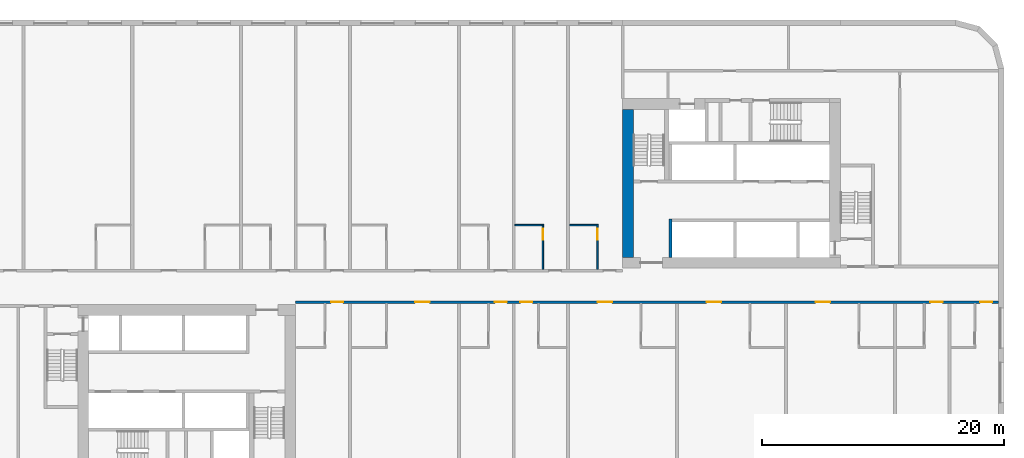
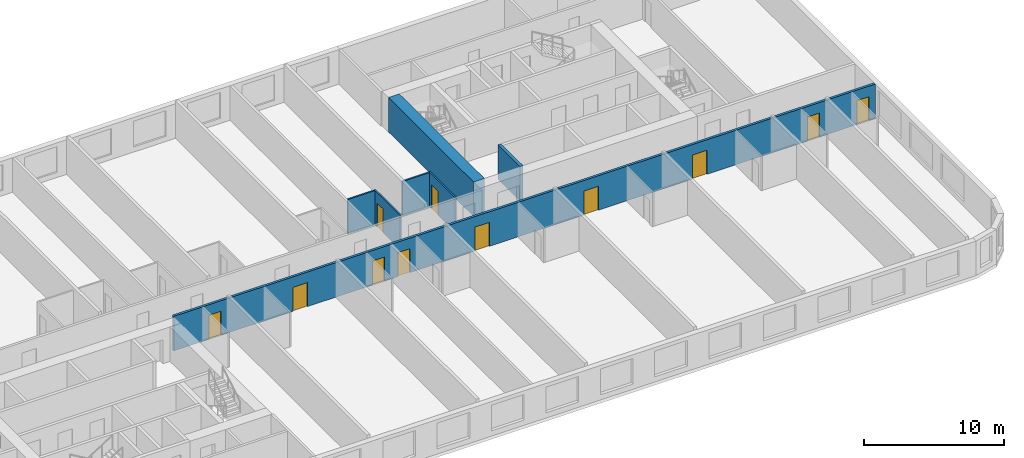
# One storey, part 5 of 12: 11 doors, 7 walls, 11 openings.
"""IFC4 building model written with IfcOpenShell, lengths in metres."""

from ifc_helpers import new_model, si_unit, direction, frame, frame_2d, origin, place, context, subcontext, project, spatial, rectangle, extrude, material, layer, layer_set, type_object, element, fill, save


model = new_model("IFC4")

# Units and contexts
model_context = context("Model", 3, precision=1e-05, world=origin(), true_north=direction((0.0, 1.0)))
body_context = subcontext(model_context, "Body", "Model", "MODEL_VIEW")
ifc_project = project(units=[si_unit("LENGTHUNIT", "METRE"), si_unit("AREAUNIT", "SQUARE_METRE"), si_unit("VOLUMEUNIT", "CUBIC_METRE"), si_unit("PLANEANGLEUNIT", "RADIAN"), si_unit("MASSUNIT", "GRAM", prefix="KILO")], contexts=[model_context])

# Site, building, storey
site_placement = place(None, origin())
site = spatial("IfcSite", under=ifc_project, at=site_placement, CompositionType="ELEMENT")
building_placement = place(site_placement, origin())
building = spatial("IfcBuilding", under=site, at=building_placement, Name="Kajstack Hotel Tower", CompositionType="ELEMENT")
storey_placement = place(building_placement, frame((0.0, 0.0, 63.300048828125)))
storey = spatial("IfcBuildingStorey", under=building, at=storey_placement, Name="L10", CompositionType="ELEMENT", Elevation=63.300048828125)

# Wall
ifc_material_1 = material(Name="Concrete C60/75", Category="concrete")
ifc_layer_1 = layer(ifc_material_1, 0.89990234375)
ifc_layer_set_1 = layer_set([ifc_layer_1], Name="Core wall 900")
wall_type_1 = type_object("IfcWallType", Name="Core wall 900", PredefinedType="SHEAR", material=ifc_layer_set_1)
wall_1_placement = place(storey_placement, frame((13.949951171875, 2.39990234375, 0.0), z_axis=(0.0, 0.0, 1.0), x_axis=(0.0, 1.0, 0.0)))
element("IfcWall", 1, at=wall_1_placement, inside=storey, type_object=wall_type_1, Name="Core wall E RE", PredefinedType="SHEAR", context=body_context, shape_type="SweptSolid", body=[
    extrude(rectangle(XDim=12.2001953125, YDim=0.89990234375, at=frame_2d((6.10009765625, 0.0))), origin(), (0.0, 0.0, 1.0), 3.02001953125),
])

# Wall, openings, doors
ifc_material_2 = material(Name="Gypsum board on steel studs, mineral wool", Category="steel")
ifc_layer_2 = layer(ifc_material_2, 0.199951171875)
ifc_layer_set_2 = layer_set([ifc_layer_2], Name="Corridor wall 200")
wall_type_2 = type_object("IfcWallType", Name="Corridor wall 200", PredefinedType="PARTITIONING", material=ifc_layer_set_2)
wall_2_placement = place(storey_placement, frame((-13.5, -1.300048828125, 0.0), z_axis=(0.0, 0.0, 1.0), x_axis=(1.0, 0.0, 0.0)))
wall_2 = element("IfcWall", 2, at=wall_2_placement, inside=storey, type_object=wall_type_2, Name="G-wall-L10-026", PredefinedType="PARTITIONING", context=body_context, shape_type="SweptSolid", body=[
    extrude(rectangle(XDim=58.050048828125, YDim=0.199951171875, at=frame_2d((29.02490234375, 0.0))), origin(), (0.0, 0.0, 1.0), 3.02001953125),
])
opening_1_placement = place(wall_2_placement, frame((2.925048828125, 0.0, 0.0)))
opening_1 = element("IfcOpeningElement", 3, at=opening_1_placement, cuts=wall_2, Name="Opening 10021", PredefinedType="OPENING", context=body_context, shape_type="SweptSolid", body=[
    extrude(rectangle(XDim=1.0, YDim=2.10009765625, at=frame_2d((0.5, 1.050048828125))), frame((0.0, 0.10986328125, 0.0), z_axis=(0.0, -1.0, 0.0), x_axis=(1.0, 0.0, 0.0)), (0.0, 0.0, 1.0), 0.219970703125),
])
opening_2_placement = place(wall_2_placement, frame((9.863037109375, 0.0, 0.0)))
opening_2 = element("IfcOpeningElement", 4, at=opening_2_placement, cuts=wall_2, Name="Opening 10023", PredefinedType="OPENING", context=body_context, shape_type="SweptSolid", body=[
    extrude(rectangle(XDim=1.199951171875, YDim=2.10009765625, at=frame_2d((0.60009765625, 1.050048828125))), frame((0.0, 0.10986328125, 0.0), z_axis=(0.0, -1.0, 0.0), x_axis=(1.0, 0.0, 0.0)), (0.0, 0.0, 1.0), 0.219970703125),
])
opening_3_placement = place(wall_2_placement, frame((16.449951171875, 0.0, 0.0)))
opening_3 = element("IfcOpeningElement", 5, at=opening_3_placement, cuts=wall_2, Name="Opening 10025", PredefinedType="OPENING", context=body_context, shape_type="SweptSolid", body=[
    extrude(rectangle(XDim=1.0, YDim=2.10009765625, at=frame_2d((0.5, 1.050048828125))), frame((0.0, 0.10986328125, 0.0), z_axis=(0.0, -1.0, 0.0), x_axis=(1.0, 0.0, 0.0)), (0.0, 0.0, 1.0), 0.219970703125),
])
opening_4_placement = place(wall_2_placement, frame((18.550048828125, 0.0, 0.0)))
opening_4 = element("IfcOpeningElement", 6, at=opening_4_placement, cuts=wall_2, Name="Opening 10027", PredefinedType="OPENING", context=body_context, shape_type="SweptSolid", body=[
    extrude(rectangle(XDim=1.0, YDim=2.10009765625, at=frame_2d((0.5, 1.050048828125))), frame((0.0, 0.10986328125, 0.0), z_axis=(0.0, -1.0, 0.0), x_axis=(1.0, 0.0, 0.0)), (0.0, 0.0, 1.0), 0.219970703125),
])
opening_5_placement = place(wall_2_placement, frame((24.93798828125, 0.0, 0.0)))
opening_5 = element("IfcOpeningElement", 7, at=opening_5_placement, cuts=wall_2, Name="Opening 10029", PredefinedType="OPENING", context=body_context, shape_type="SweptSolid", body=[
    extrude(rectangle(XDim=1.199951171875, YDim=2.10009765625, at=frame_2d((0.60009765625, 1.050048828125))), frame((0.0, 0.10986328125, 0.0), z_axis=(0.0, -1.0, 0.0), x_axis=(1.0, 0.0, 0.0)), (0.0, 0.0, 1.0), 0.219970703125),
])
opening_6_placement = place(wall_2_placement, frame((33.93798828125, 0.0, 0.0)))
opening_6 = element("IfcOpeningElement", 8, at=opening_6_placement, cuts=wall_2, Name="Opening 10031", PredefinedType="OPENING", context=body_context, shape_type="SweptSolid", body=[
    extrude(rectangle(XDim=1.199951171875, YDim=2.10009765625, at=frame_2d((0.60009765625, 1.050048828125))), frame((0.0, 0.10986328125, 0.0), z_axis=(0.0, -1.0, 0.0), x_axis=(1.0, 0.0, 0.0)), (0.0, 0.0, 1.0), 0.219970703125),
])
opening_7_placement = place(wall_2_placement, frame((42.93798828125, 0.0, 0.0)))
opening_7 = element("IfcOpeningElement", 9, at=opening_7_placement, cuts=wall_2, Name="Opening 10033", PredefinedType="OPENING", context=body_context, shape_type="SweptSolid", body=[
    extrude(rectangle(XDim=1.199951171875, YDim=2.10009765625, at=frame_2d((0.60009765625, 1.050048828125))), frame((0.0, 0.10986328125, 0.0), z_axis=(0.0, -1.0, 0.0), x_axis=(1.0, 0.0, 0.0)), (0.0, 0.0, 1.0), 0.219970703125),
])
opening_8_placement = place(wall_2_placement, frame((52.425048828125, 0.0, 0.0)))
opening_8 = element("IfcOpeningElement", 10, at=opening_8_placement, cuts=wall_2, Name="Opening 10035", PredefinedType="OPENING", context=body_context, shape_type="SweptSolid", body=[
    extrude(rectangle(XDim=1.0, YDim=2.10009765625, at=frame_2d((0.5, 1.050048828125))), frame((0.0, 0.10986328125, 0.0), z_axis=(0.0, -1.0, 0.0), x_axis=(1.0, 0.0, 0.0)), (0.0, 0.0, 1.0), 0.219970703125),
])
opening_9_placement = place(wall_2_placement, frame((56.52490234375, 0.0, 0.0)))
opening_9 = element("IfcOpeningElement", 11, at=opening_9_placement, cuts=wall_2, Name="Opening 10037", PredefinedType="OPENING", context=body_context, shape_type="SweptSolid", body=[
    extrude(rectangle(XDim=1.0, YDim=2.10009765625, at=frame_2d((0.5, 1.050048828125))), frame((0.0, 0.10986328125, 0.0), z_axis=(0.0, -1.0, 0.0), x_axis=(1.0, 0.0, 0.0)), (0.0, 0.0, 1.0), 0.219970703125),
])
ifc_material_3 = material(Name="Oak veneer on timber core, fire-rated leaf", Category="wood")
door_type_1 = type_object("IfcDoorType", Name="Flat entrance door 1000", OperationType="SINGLE_SWING_LEFT", PredefinedType="DOOR", material=ifc_material_3)
door_1_placement = place(opening_1_placement, origin())
door_1 = element("IfcDoor", 12, at=door_1_placement, inside=storey, type_object=door_type_1, Name="G-door-L10-21", OperationType="SINGLE_SWING_RIGHT", OverallHeight=2.10009765625, OverallWidth=1.0, PredefinedType="DOOR", context=body_context, shape_type="SweptSolid", body=[
    extrude(rectangle(XDim=1.0, YDim=2.10009765625, at=frame_2d((0.5, 1.050048828125))), frame((0.0, 0.02490234375, 0.0), z_axis=(0.0, -1.0, 0.0), x_axis=(1.0, 0.0, 0.0)), (0.0, 0.0, 1.0), 0.050048828125),
])
fill(opening_1, door_1)
door_2_placement = place(opening_3_placement, origin())
door_2 = element("IfcDoor", 13, at=door_2_placement, inside=storey, type_object=door_type_1, Name="G-door-L10-25", OperationType="SINGLE_SWING_LEFT", OverallHeight=2.10009765625, OverallWidth=1.0, PredefinedType="DOOR", context=body_context, shape_type="SweptSolid", body=[
    extrude(rectangle(XDim=1.0, YDim=2.10009765625, at=frame_2d((0.5, 1.050048828125))), frame((0.0, 0.02490234375, 0.0), z_axis=(0.0, -1.0, 0.0), x_axis=(1.0, 0.0, 0.0)), (0.0, 0.0, 1.0), 0.050048828125),
])
fill(opening_3, door_2)
door_3_placement = place(opening_4_placement, origin())
door_3 = element("IfcDoor", 14, at=door_3_placement, inside=storey, type_object=door_type_1, Name="G-door-L10-27", OperationType="SINGLE_SWING_LEFT", OverallHeight=2.10009765625, OverallWidth=1.0, PredefinedType="DOOR", context=body_context, shape_type="SweptSolid", body=[
    extrude(rectangle(XDim=1.0, YDim=2.10009765625, at=frame_2d((0.5, 1.050048828125))), frame((0.0, 0.02490234375, 0.0), z_axis=(0.0, -1.0, 0.0), x_axis=(1.0, 0.0, 0.0)), (0.0, 0.0, 1.0), 0.050048828125),
])
fill(opening_4, door_3)
door_4_placement = place(opening_8_placement, origin())
door_4 = element("IfcDoor", 15, at=door_4_placement, inside=storey, type_object=door_type_1, Name="G-door-L10-35", OperationType="SINGLE_SWING_RIGHT", OverallHeight=2.10009765625, OverallWidth=1.0, PredefinedType="DOOR", context=body_context, shape_type="SweptSolid", body=[
    extrude(rectangle(XDim=1.0, YDim=2.10009765625, at=frame_2d((0.5, 1.050048828125))), frame((0.0, 0.02490234375, 0.0), z_axis=(0.0, -1.0, 0.0), x_axis=(1.0, 0.0, 0.0)), (0.0, 0.0, 1.0), 0.050048828125),
])
fill(opening_8, door_4)
door_5_placement = place(opening_9_placement, origin())
door_5 = element("IfcDoor", 16, at=door_5_placement, inside=storey, type_object=door_type_1, Name="G-door-L10-37", OperationType="SINGLE_SWING_RIGHT", OverallHeight=2.10009765625, OverallWidth=1.0, PredefinedType="DOOR", context=body_context, shape_type="SweptSolid", body=[
    extrude(rectangle(XDim=1.0, YDim=2.10009765625, at=frame_2d((0.5, 1.050048828125))), frame((0.0, 0.02490234375, 0.0), z_axis=(0.0, -1.0, 0.0), x_axis=(1.0, 0.0, 0.0)), (0.0, 0.0, 1.0), 0.050048828125),
])
fill(opening_9, door_5)
door_type_2 = type_object("IfcDoorType", Name="Flat entrance door 1200", OperationType="SINGLE_SWING_LEFT", PredefinedType="DOOR", material=ifc_material_3)
door_6_placement = place(opening_2_placement, origin())
door_6 = element("IfcDoor", 17, at=door_6_placement, inside=storey, type_object=door_type_2, Name="G-door-L10-23", OperationType="SINGLE_SWING_LEFT", OverallHeight=2.10009765625, OverallWidth=1.199951171875, PredefinedType="DOOR", context=body_context, shape_type="SweptSolid", body=[
    extrude(rectangle(XDim=1.199951171875, YDim=2.10009765625, at=frame_2d((0.60009765625, 1.050048828125))), frame((0.0, 0.02490234375, 0.0), z_axis=(0.0, -1.0, 0.0), x_axis=(1.0, 0.0, 0.0)), (0.0, 0.0, 1.0), 0.050048828125),
])
fill(opening_2, door_6)
door_7_placement = place(opening_5_placement, origin())
door_7 = element("IfcDoor", 18, at=door_7_placement, inside=storey, type_object=door_type_2, Name="G-door-L10-29", OperationType="SINGLE_SWING_RIGHT", OverallHeight=2.10009765625, OverallWidth=1.199951171875, PredefinedType="DOOR", context=body_context, shape_type="SweptSolid", body=[
    extrude(rectangle(XDim=1.199951171875, YDim=2.10009765625, at=frame_2d((0.60009765625, 1.050048828125))), frame((0.0, 0.02490234375, 0.0), z_axis=(0.0, -1.0, 0.0), x_axis=(1.0, 0.0, 0.0)), (0.0, 0.0, 1.0), 0.050048828125),
])
fill(opening_5, door_7)
door_8_placement = place(opening_6_placement, origin())
door_8 = element("IfcDoor", 19, at=door_8_placement, inside=storey, type_object=door_type_2, Name="G-door-L10-31", OperationType="SINGLE_SWING_RIGHT", OverallHeight=2.10009765625, OverallWidth=1.199951171875, PredefinedType="DOOR", context=body_context, shape_type="SweptSolid", body=[
    extrude(rectangle(XDim=1.199951171875, YDim=2.10009765625, at=frame_2d((0.60009765625, 1.050048828125))), frame((0.0, 0.02490234375, 0.0), z_axis=(0.0, -1.0, 0.0), x_axis=(1.0, 0.0, 0.0)), (0.0, 0.0, 1.0), 0.050048828125),
])
fill(opening_6, door_8)
door_9_placement = place(opening_7_placement, origin())
door_9 = element("IfcDoor", 20, at=door_9_placement, inside=storey, type_object=door_type_2, Name="G-door-L10-33", OperationType="SINGLE_SWING_RIGHT", OverallHeight=2.10009765625, OverallWidth=1.199951171875, PredefinedType="DOOR", context=body_context, shape_type="SweptSolid", body=[
    extrude(rectangle(XDim=1.199951171875, YDim=2.10009765625, at=frame_2d((0.60009765625, 1.050048828125))), frame((0.0, 0.02490234375, 0.0), z_axis=(0.0, -1.0, 0.0), x_axis=(1.0, 0.0, 0.0)), (0.0, 0.0, 1.0), 0.050048828125),
])
fill(opening_7, door_9)

# Wall, opening, door
ifc_material_4 = material(Name="Gypsum board and tiled backer on steel studs", Category="steel")
ifc_layer_3 = layer(ifc_material_4, 0.125)
ifc_layer_set_3 = layer_set([ifc_layer_3], Name="En-suite wall 125")
wall_type_3 = type_object("IfcWallType", Name="En-suite wall 125", PredefinedType="PARTITIONING", material=ifc_layer_set_3)
wall_3_placement = place(storey_placement, frame((6.912109375, 1.39990234375, 0.0), z_axis=(0.0, 0.0, 1.0), x_axis=(0.0, 1.0, 0.0)))
wall_3 = element("IfcWall", 21, at=wall_3_placement, inside=storey, type_object=wall_type_3, Name="G-wall-L10-022", PredefinedType="PARTITIONING", context=body_context, shape_type="SweptSolid", body=[
    extrude(rectangle(XDim=3.72509765625, YDim=0.125, at=frame_2d((1.862548828125, 0.0))), origin(), (0.0, 0.0, 1.0), 3.02001953125),
])
opening_10_placement = place(wall_3_placement, frame((2.449951171875, 0.0, 0.0)))
opening_10 = element("IfcOpeningElement", 22, at=opening_10_placement, cuts=wall_3, Name="Opening 10018", PredefinedType="OPENING", context=body_context, shape_type="SweptSolid", body=[
    extrude(rectangle(XDim=0.89990234375, YDim=2.10009765625, at=frame_2d((0.449951171875, 1.050048828125))), frame((0.0, 0.072509765625, 0.0), z_axis=(0.0, -1.0, 0.0), x_axis=(1.0, 0.0, 0.0)), (0.0, 0.0, 1.0), 0.14501953125),
])
ifc_material_5 = material(Name="Painted timber door leaf", Category="wood")
door_type_3 = type_object("IfcDoorType", Name="Room door 900", OperationType="SINGLE_SWING_LEFT", PredefinedType="DOOR", material=ifc_material_5)
door_10_placement = place(opening_10_placement, origin())
door_10 = element("IfcDoor", 23, at=door_10_placement, inside=storey, type_object=door_type_3, Name="G-door-L10-18", OperationType="SINGLE_SWING_RIGHT", OverallHeight=2.10009765625, OverallWidth=0.89990234375, PredefinedType="DOOR", context=body_context, shape_type="SweptSolid", body=[
    extrude(rectangle(XDim=0.89990234375, YDim=2.10009765625, at=frame_2d((0.449951171875, 1.050048828125))), frame((0.0, 0.02490234375, 0.0), z_axis=(0.0, -1.0, 0.0), x_axis=(1.0, 0.0, 0.0)), (0.0, 0.0, 1.0), 0.050048828125),
])
fill(opening_10, door_10)

# Wall
wall_4_placement = place(storey_placement, frame((4.60009765625, 5.06201171875, 0.0), z_axis=(0.0, 0.0, 1.0), x_axis=(1.0, 0.0, 0.0)))
element("IfcWall", 24, at=wall_4_placement, inside=storey, type_object=wall_type_3, Name="G-wall-L10-023", PredefinedType="PARTITIONING", context=body_context, shape_type="SweptSolid", body=[
    extrude(rectangle(XDim=2.25, YDim=0.125, at=frame_2d((1.125, 0.0))), origin(), (0.0, 0.0, 1.0), 3.02001953125),
])

# Wall, opening, door
wall_5_placement = place(storey_placement, frame((11.43798828125, 1.39990234375, 0.0), z_axis=(0.0, 0.0, 1.0), x_axis=(0.0, 1.0, 0.0)))
wall_5 = element("IfcWall", 25, at=wall_5_placement, inside=storey, type_object=wall_type_3, Name="G-wall-L10-024", PredefinedType="PARTITIONING", context=body_context, shape_type="SweptSolid", body=[
    extrude(rectangle(XDim=3.72509765625, YDim=0.125, at=frame_2d((1.862548828125, 0.0))), origin(), (0.0, 0.0, 1.0), 3.02001953125),
])
opening_11_placement = place(wall_5_placement, frame((2.449951171875, 0.0, 0.0)))
opening_11 = element("IfcOpeningElement", 26, at=opening_11_placement, cuts=wall_5, Name="Opening 10020", PredefinedType="OPENING", context=body_context, shape_type="SweptSolid", body=[
    extrude(rectangle(XDim=0.89990234375, YDim=2.10009765625, at=frame_2d((0.449951171875, 1.050048828125))), frame((0.0, 0.072509765625, 0.0), z_axis=(0.0, -1.0, 0.0), x_axis=(1.0, 0.0, 0.0)), (0.0, 0.0, 1.0), 0.14501953125),
])
door_11_placement = place(opening_11_placement, origin())
door_11 = element("IfcDoor", 27, at=door_11_placement, inside=storey, type_object=door_type_3, Name="G-door-L10-20", OperationType="SINGLE_SWING_LEFT", OverallHeight=2.10009765625, OverallWidth=0.89990234375, PredefinedType="DOOR", context=body_context, shape_type="SweptSolid", body=[
    extrude(rectangle(XDim=0.89990234375, YDim=2.10009765625, at=frame_2d((0.449951171875, 1.050048828125))), frame((0.0, 0.02490234375, 0.0), z_axis=(0.0, -1.0, 0.0), x_axis=(1.0, 0.0, 0.0)), (0.0, 0.0, 1.0), 0.050048828125),
])
fill(opening_11, door_11)

# Walls
wall_6_placement = place(storey_placement, frame((9.125, 5.06201171875, 0.0), z_axis=(0.0, 0.0, 1.0), x_axis=(1.0, 0.0, 0.0)))
element("IfcWall", 28, at=wall_6_placement, inside=storey, type_object=wall_type_3, Name="G-wall-L10-025", PredefinedType="PARTITIONING", context=body_context, shape_type="SweptSolid", body=[
    extrude(rectangle(XDim=2.25, YDim=0.125, at=frame_2d((1.125, 0.0))), origin(), (0.0, 0.0, 1.0), 3.02001953125),
])
ifc_material_6 = material(Name="Concrete C50/60", Category="concrete")
ifc_layer_4 = layer(ifc_material_6, 0.25)
ifc_layer_set_4 = layer_set([ifc_layer_4], Name="Shaft wall 250")
wall_type_4 = type_object("IfcWallType", Name="Shaft wall 250", PredefinedType="SHEAR", material=ifc_layer_set_4)
wall_7_placement = place(storey_placement, frame((17.47509765625, 2.39990234375, 0.0), z_axis=(0.0, 0.0, 1.0), x_axis=(0.0, 1.0, 0.0)))
element("IfcWall", 29, at=wall_7_placement, inside=storey, type_object=wall_type_4, Name="Core wall E AE", PredefinedType="SHEAR", context=body_context, shape_type="SweptSolid", body=[
    extrude(rectangle(XDim=3.150146484375, YDim=0.25, at=frame_2d((1.5751953125, 0.0))), origin(), (0.0, 0.0, 1.0), 3.02001953125),
])

save(model, "model.ifc")
